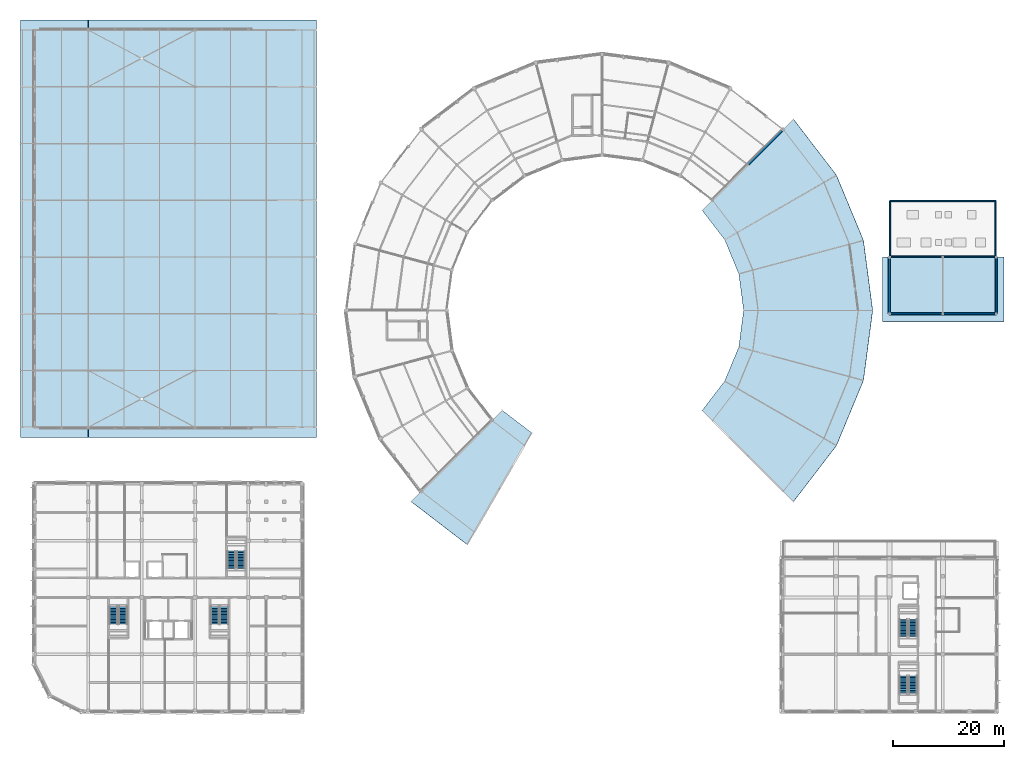
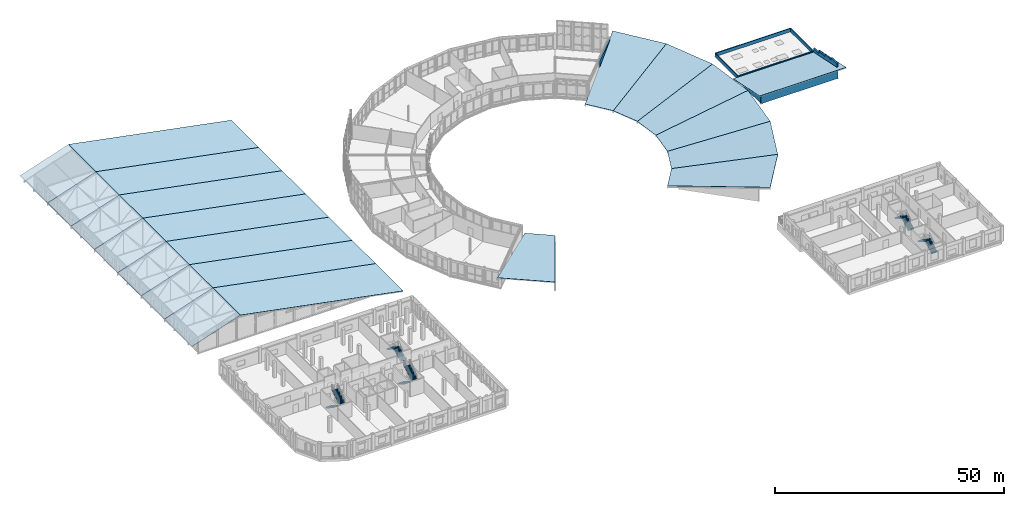
# One storey, part 187 of 200: 22 roofs, 10 stair flights, 8 walls, 5 elements without a shape of their own.
"""IFC4 building model written with IfcOpenShell, lengths in metres."""

from ifc_helpers import new_model, si_unit, direction, frame, frame_2d, origin, place, context, subcontext, project, spatial, polyline, rectangle, outline, extrude, material, layer, layer_set, type_object, element, aggregate, save


model = new_model("IFC4")

# Units and contexts
model_context = context("Model", 3, precision=1e-05, world=origin(), true_north=direction((0.0, 1.0)))
body_context = subcontext(model_context, "Body", "Model", "MODEL_VIEW")
ifc_project = project(units=[si_unit("LENGTHUNIT", "METRE"), si_unit("AREAUNIT", "SQUARE_METRE"), si_unit("VOLUMEUNIT", "CUBIC_METRE"), si_unit("PLANEANGLEUNIT", "RADIAN"), si_unit("MASSUNIT", "GRAM", prefix="KILO")], contexts=[model_context])

# Site, building, storey
site_placement = place(None, origin())
site = spatial("IfcSite", under=ifc_project, at=site_placement, CompositionType="ELEMENT")
building_placement = place(site_placement, origin())
building = spatial("IfcBuilding", under=site, at=building_placement, Name="Vondelvale Polytechnic", CompositionType="ELEMENT")
storey_placement = place(building_placement, frame((0.0, 0.0, 13.800048828125)))
storey = spatial("IfcBuildingStorey", under=building, at=storey_placement, Name="L03", CompositionType="ELEMENT", Elevation=13.800048828125)

# Walls
ifc_material_1 = material(Name="Amsterdam School iron-spot clinker clay brickwork", Category="masonry")
ifc_layer_1 = layer(ifc_material_1, 0.320068359375)
ifc_layer_set_1 = layer_set([ifc_layer_1], Name="WL-BRICK-320")
wall_type_1 = type_object("IfcWallType", Name="WL-BRICK-320", PredefinedType="SOLIDWALL", material=ifc_layer_set_1)
wall_1_placement = place(storey_placement, frame((153.60009765625, 71.39990234375, 0.0), z_axis=(0.0, 0.0, 1.0), x_axis=(1.0, 0.0, 0.0)))
element("IfcWall", 1, at=wall_1_placement, inside=storey, type_object=wall_type_1, Name="L03 Refectory wing high clerestory wall", PredefinedType="SOLIDWALL", context=body_context, shape_type="SweptSolid", body=[
    extrude(rectangle(XDim=19.199951171875, YDim=0.320068359375, at=frame_2d((9.60009765625, 0.0))), origin(), (0.0, 0.0, 1.0), 2.635986328125),
])
wall_2_placement = place(storey_placement, frame((153.60009765625, 71.39990234375, 0.0), z_axis=(0.0, 0.0, 1.0), x_axis=(0.0, 1.0, 0.0)))
element("IfcWall", 2, at=wall_2_placement, inside=storey, type_object=wall_type_1, Name="L03 Refectory wing crow-stepped brick gable W", PredefinedType="SOLIDWALL", context=body_context, shape_type="SweptSolid", body=[
    extrude(outline(polyline([(0.0, 0.0), (10.2001953125, 0.0), (10.199951171875, 0.525634765625), (0.0, 2.635986328125), (0.0, 0.0)])), frame((0.0, 0.16015625, 0.0), z_axis=(0.0, -1.0, 0.0), x_axis=(1.0, 0.0, 0.0)), (0.0, 0.0, 1.0), 0.320068359375),
])
wall_3_placement = place(storey_placement, frame((172.800048828125, 71.39990234375, 0.0), z_axis=(0.0, 0.0, 1.0), x_axis=(0.0, 1.0, 0.0)))
element("IfcWall", 3, at=wall_3_placement, inside=storey, type_object=wall_type_1, Name="L03 Refectory wing crow-stepped brick gable E", PredefinedType="SOLIDWALL", context=body_context, shape_type="SweptSolid", body=[
    extrude(outline(polyline([(0.0, 0.0), (10.2001953125, 0.0), (10.199951171875, 1.849853515625), (7.719970703125, 1.849853515625), (7.679931640625, 2.550048828125), (5.1201171875, 2.550048828125), (5.080078125, 3.25), (2.52001953125, 3.25), (2.47998046875, 3.949951171875), (0.0, 3.949951171875), (0.0, 0.0)])), frame((0.0, 0.16015625, 0.0), z_axis=(0.0, -1.0, 0.0), x_axis=(1.0, 0.0, 0.0)), (0.0, 0.0, 1.0), 0.320068359375),
])
ifc_layer_2 = layer(ifc_material_1, 0.340087890625)
ifc_layer_set_2 = layer_set([ifc_layer_2], Name="WL-BRICK-340")
wall_type_2 = type_object("IfcWallType", Name="WL-BRICK-340", PredefinedType="SOLIDWALL", material=ifc_layer_set_2)
wall_4_placement = place(storey_placement, frame((128.25341796875, 98.25341796875, 0.0), z_axis=(0.0, 0.0, 1.0), x_axis=(0.707106781187, 0.707106781187, 0.0)))
element("IfcWall", 4, at=wall_4_placement, inside=storey, type_object=wall_type_2, Name="L03 exterior masonry facade wall", PredefinedType="SOLIDWALL", context=body_context, shape_type="SweptSolid", body=[
    extrude(rectangle(XDim=8.5712890625, YDim=0.340087890625, at=frame_2d((4.28564453125, 0.0))), origin(), (0.0, 0.0, 1.0), 3.760009765625),
])
ifc_layer_3 = layer(ifc_material_1, 0.239990234375)
ifc_layer_set_3 = layer_set([ifc_layer_3], Name="WL-PARAPET-240")
wall_type_3 = type_object("IfcWallType", Name="WL-PARAPET-240", PredefinedType="SOLIDWALL", material=ifc_layer_set_3)
wall_5_placement = place(storey_placement, frame((153.719970703125, 81.719970703125, 0.179931640625), z_axis=(0.0, 0.0, 1.0), x_axis=(1.0, 0.0, 0.0)))
element("IfcWall", 5, at=wall_5_placement, inside=storey, type_object=wall_type_3, Name="L03 East pavilion stepped brick parapet", PredefinedType="SOLIDWALL", context=body_context, shape_type="SweptSolid", body=[
    extrude(rectangle(XDim=18.9599609375, YDim=0.239990234375, at=frame_2d((9.47998046875, 0.0))), origin(), (0.0, 0.0, 1.0), 0.8701171875),
])
wall_6_placement = place(storey_placement, frame((172.679931640625, 81.719970703125, 0.179931640625), z_axis=(0.0, 0.0, 1.0), x_axis=(0.0, 1.0, 0.0)))
element("IfcWall", 6, at=wall_6_placement, inside=storey, type_object=wall_type_3, Name="L03 East pavilion stepped brick parapet", PredefinedType="SOLIDWALL", context=body_context, shape_type="SweptSolid", body=[
    extrude(rectangle(XDim=9.9599609375, YDim=0.239990234375, at=frame_2d((4.97998046875, 0.0))), origin(), (0.0, 0.0, 1.0), 0.8701171875),
])
wall_7_placement = place(storey_placement, frame((172.679931640625, 91.679931640625, 0.179931640625), z_axis=(0.0, 0.0, 1.0), x_axis=(-1.0, 0.0, 0.0)))
element("IfcWall", 7, at=wall_7_placement, inside=storey, type_object=wall_type_3, Name="L03 East pavilion stepped brick parapet", PredefinedType="SOLIDWALL", context=body_context, shape_type="SweptSolid", body=[
    extrude(rectangle(XDim=18.9599609375, YDim=0.239990234375, at=frame_2d((9.47998046875, 0.0))), origin(), (0.0, 0.0, 1.0), 0.8701171875),
])
wall_8_placement = place(storey_placement, frame((153.719970703125, 91.679931640625, 0.179931640625), z_axis=(0.0, 0.0, 1.0), x_axis=(0.0, -1.0, 0.0)))
element("IfcWall", 8, at=wall_8_placement, inside=storey, type_object=wall_type_3, Name="L03 East pavilion stepped brick parapet", PredefinedType="SOLIDWALL", context=body_context, shape_type="SweptSolid", body=[
    extrude(rectangle(XDim=9.9599609375, YDim=0.239990234375, at=frame_2d((4.97998046875, 0.0))), origin(), (0.0, 0.0, 1.0), 0.8701171875),
])

# Stair, stair flights
ifc_material_2 = material(Name="Concrete N40 (f'c = 40 MPa)", Category="concrete")
stair_type = type_object("IfcStairType", Name="STR-DOG-1500", PredefinedType="HALF_TURN_STAIR", material=ifc_material_2)
stair_1_placement = place(storey_placement, origin())
stair_1 = element("IfcStair", 9, at=stair_1_placement, inside=storey, type_object=stair_type, Name="L03 ST-03", PredefinedType="HALF_TURN_STAIR")
stair_flight_type = type_object("IfcStairFlightType", Name="STF-DOG-1500", PredefinedType="STRAIGHT", material=ifc_material_2)
stair_flight_1_placement = place(storey_placement, frame((14.14990234375, 18.75, 0.0), z_axis=(0.0, 0.0, 1.0), x_axis=(0.0, -1.0, 0.0)))
stair_flight_1 = element("IfcStairFlight", 10, at=stair_flight_1_placement, type_object=stair_flight_type, Name="ST-03 flight 1", NumberOfRisers=12, NumberOfTreads=11, PredefinedType="STRAIGHT", RiserHeight=0.175, TreadLength=0.285, context=body_context, shape_type="SweptSolid", body=[
    extrude(outline(polyline([(0.0, 0.0), (0.0, 0.175048828125), (0.284912109375, 0.175048828125), (0.284912109375, 0.35009765625), (0.570068359375, 0.35009765625), (0.570068359375, 0.52490234375), (0.85498046875, 0.52490234375), (0.85498046875, 0.699951171875), (1.139892578125, 0.699951171875), (1.139892578125, 0.875), (1.425048828125, 0.875), (1.425048828125, 1.050048828125), (1.7099609375, 1.050048828125), (1.7099609375, 1.22509765625), (1.9951171875, 1.22509765625), (1.9951171875, 1.39990234375), (2.280029296875, 1.39990234375), (2.280029296875, 1.574951171875), (2.56494140625, 1.574951171875), (2.56494140625, 1.75), (2.85009765625, 1.75), (2.85009765625, 1.925048828125), (3.135009765625, 1.925048828125), (3.135009765625, 2.10009765625), (3.135009765625, 1.7373046875), (0.3056640625, 0.0), (0.0, 0.0)])), frame((0.0, 0.75, 0.0), z_axis=(0.0, -1.0, 0.0), x_axis=(1.0, 0.0, 0.0)), (0.0, 0.0, 1.0), 1.5),
])
stair_flight_2_placement = place(storey_placement, frame((15.85009765625, 15.614990234375, 2.099853515625), z_axis=(0.0, 0.0, 1.0), x_axis=(0.0, 1.0, 0.0)))
stair_flight_2 = element("IfcStairFlight", 11, at=stair_flight_2_placement, type_object=stair_flight_type, Name="ST-03 flight 2", NumberOfRisers=12, NumberOfTreads=11, PredefinedType="STRAIGHT", RiserHeight=0.175, TreadLength=0.285, context=body_context, shape_type="SweptSolid", body=[
    extrude(outline(polyline([(0.0, 0.0), (0.0, 0.175048828125), (0.284912109375, 0.175048828125), (0.284912109375, 0.35009765625), (0.570068359375, 0.35009765625), (0.570068359375, 0.52490234375), (0.85498046875, 0.52490234375), (0.85498046875, 0.699951171875), (1.139892578125, 0.699951171875), (1.139892578125, 0.875), (1.425048828125, 0.875), (1.425048828125, 1.050048828125), (1.7099609375, 1.050048828125), (1.7099609375, 1.22509765625), (1.9951171875, 1.22509765625), (1.9951171875, 1.39990234375), (2.280029296875, 1.39990234375), (2.280029296875, 1.574951171875), (2.56494140625, 1.574951171875), (2.56494140625, 1.75), (2.85009765625, 1.75), (2.85009765625, 1.925048828125), (3.135009765625, 1.925048828125), (3.135009765625, 2.10009765625), (3.135009765625, 1.7373046875), (0.3056640625, 0.0), (0.0, 0.0)])), frame((0.0, 0.75, 0.0), z_axis=(0.0, -1.0, 0.0), x_axis=(1.0, 0.0, 0.0)), (0.0, 0.0, 1.0), 1.5),
])
aggregate(stair_1, [stair_flight_1, stair_flight_2])

stair_2_placement = place(storey_placement, origin())
stair_2 = element("IfcStair", 12, at=stair_2_placement, inside=storey, type_object=stair_type, Name="L03 ST-04", PredefinedType="HALF_TURN_STAIR")
stair_flight_3_placement = place(storey_placement, frame((32.35009765625, 18.75, 0.0), z_axis=(0.0, 0.0, 1.0), x_axis=(0.0, -1.0, 0.0)))
stair_flight_3 = element("IfcStairFlight", 13, at=stair_flight_3_placement, type_object=stair_flight_type, Name="ST-04 flight 1", NumberOfRisers=12, NumberOfTreads=11, PredefinedType="STRAIGHT", RiserHeight=0.175, TreadLength=0.285, context=body_context, shape_type="SweptSolid", body=[
    extrude(outline(polyline([(0.0, 0.0), (0.0, 0.175048828125), (0.284912109375, 0.175048828125), (0.284912109375, 0.35009765625), (0.570068359375, 0.35009765625), (0.570068359375, 0.52490234375), (0.85498046875, 0.52490234375), (0.85498046875, 0.699951171875), (1.139892578125, 0.699951171875), (1.139892578125, 0.875), (1.425048828125, 0.875), (1.425048828125, 1.050048828125), (1.7099609375, 1.050048828125), (1.7099609375, 1.22509765625), (1.9951171875, 1.22509765625), (1.9951171875, 1.39990234375), (2.280029296875, 1.39990234375), (2.280029296875, 1.574951171875), (2.56494140625, 1.574951171875), (2.56494140625, 1.75), (2.85009765625, 1.75), (2.85009765625, 1.925048828125), (3.135009765625, 1.925048828125), (3.135009765625, 2.10009765625), (3.135009765625, 1.7373046875), (0.3056640625, 0.0), (0.0, 0.0)])), frame((0.0, 0.75, 0.0), z_axis=(0.0, -1.0, 0.0), x_axis=(1.0, 0.0, 0.0)), (0.0, 0.0, 1.0), 1.5),
])
stair_flight_4_placement = place(storey_placement, frame((34.050048828125, 15.614990234375, 2.099853515625), z_axis=(0.0, 0.0, 1.0), x_axis=(0.0, 1.0, 0.0)))
stair_flight_4 = element("IfcStairFlight", 14, at=stair_flight_4_placement, type_object=stair_flight_type, Name="ST-04 flight 2", NumberOfRisers=12, NumberOfTreads=11, PredefinedType="STRAIGHT", RiserHeight=0.175, TreadLength=0.285, context=body_context, shape_type="SweptSolid", body=[
    extrude(outline(polyline([(0.0, 0.0), (0.0, 0.175048828125), (0.284912109375, 0.175048828125), (0.284912109375, 0.35009765625), (0.570068359375, 0.35009765625), (0.570068359375, 0.52490234375), (0.85498046875, 0.52490234375), (0.85498046875, 0.699951171875), (1.139892578125, 0.699951171875), (1.139892578125, 0.875), (1.425048828125, 0.875), (1.425048828125, 1.050048828125), (1.7099609375, 1.050048828125), (1.7099609375, 1.22509765625), (1.9951171875, 1.22509765625), (1.9951171875, 1.39990234375), (2.280029296875, 1.39990234375), (2.280029296875, 1.574951171875), (2.56494140625, 1.574951171875), (2.56494140625, 1.75), (2.85009765625, 1.75), (2.85009765625, 1.925048828125), (3.135009765625, 1.925048828125), (3.135009765625, 2.10009765625), (3.135009765625, 1.7373046875), (0.3056640625, 0.0), (0.0, 0.0)])), frame((0.0, 0.75, 0.0), z_axis=(0.0, -1.0, 0.0), x_axis=(1.0, 0.0, 0.0)), (0.0, 0.0, 1.0), 1.5),
])
aggregate(stair_2, [stair_flight_3, stair_flight_4])

stair_3_placement = place(storey_placement, origin())
stair_3 = element("IfcStair", 15, at=stair_3_placement, inside=storey, type_object=stair_type, Name="L03 ST-05", PredefinedType="HALF_TURN_STAIR")
stair_flight_5_placement = place(storey_placement, frame((37.050048828125, 25.60009765625, 0.0), z_axis=(0.0, 0.0, 1.0), x_axis=(0.0, 1.0, 0.0)))
stair_flight_5 = element("IfcStairFlight", 16, at=stair_flight_5_placement, type_object=stair_flight_type, Name="ST-05 flight 1", NumberOfRisers=12, NumberOfTreads=11, PredefinedType="STRAIGHT", RiserHeight=0.175, TreadLength=0.285, context=body_context, shape_type="SweptSolid", body=[
    extrude(outline(polyline([(0.0, 0.0), (0.0, 0.175048828125), (0.284912109375, 0.175048828125), (0.284912109375, 0.35009765625), (0.570068359375, 0.35009765625), (0.570068359375, 0.52490234375), (0.85498046875, 0.52490234375), (0.85498046875, 0.699951171875), (1.139892578125, 0.699951171875), (1.139892578125, 0.875), (1.425048828125, 0.875), (1.425048828125, 1.050048828125), (1.7099609375, 1.050048828125), (1.7099609375, 1.22509765625), (1.9951171875, 1.22509765625), (1.9951171875, 1.39990234375), (2.280029296875, 1.39990234375), (2.280029296875, 1.574951171875), (2.56494140625, 1.574951171875), (2.56494140625, 1.75), (2.85009765625, 1.75), (2.85009765625, 1.925048828125), (3.135009765625, 1.925048828125), (3.135009765625, 2.10009765625), (3.135009765625, 1.7373046875), (0.3056640625, 0.0), (0.0, 0.0)])), frame((0.0, 0.75, 0.0), z_axis=(0.0, -1.0, 0.0), x_axis=(1.0, 0.0, 0.0)), (0.0, 0.0, 1.0), 1.5),
])
stair_flight_6_placement = place(storey_placement, frame((35.35009765625, 28.735107421875, 2.099853515625), z_axis=(0.0, 0.0, 1.0), x_axis=(0.0, -1.0, 0.0)))
stair_flight_6 = element("IfcStairFlight", 17, at=stair_flight_6_placement, type_object=stair_flight_type, Name="ST-05 flight 2", NumberOfRisers=12, NumberOfTreads=11, PredefinedType="STRAIGHT", RiserHeight=0.175, TreadLength=0.285, context=body_context, shape_type="SweptSolid", body=[
    extrude(outline(polyline([(0.0, 0.0), (0.0, 0.175048828125), (0.284912109375, 0.175048828125), (0.284912109375, 0.35009765625), (0.570068359375, 0.35009765625), (0.570068359375, 0.52490234375), (0.85498046875, 0.52490234375), (0.85498046875, 0.699951171875), (1.139892578125, 0.699951171875), (1.139892578125, 0.875), (1.425048828125, 0.875), (1.425048828125, 1.050048828125), (1.7099609375, 1.050048828125), (1.7099609375, 1.22509765625), (1.9951171875, 1.22509765625), (1.9951171875, 1.39990234375), (2.280029296875, 1.39990234375), (2.280029296875, 1.574951171875), (2.56494140625, 1.574951171875), (2.56494140625, 1.75), (2.85009765625, 1.75), (2.85009765625, 1.925048828125), (3.135009765625, 1.925048828125), (3.135009765625, 2.10009765625), (3.135009765625, 1.7373046875), (0.3056640625, 0.0), (0.0, 0.0)])), frame((0.0, 0.75, 0.0), z_axis=(0.0, -1.0, 0.0), x_axis=(1.0, 0.0, 0.0)), (0.0, 0.0, 1.0), 1.5),
])
aggregate(stair_3, [stair_flight_5, stair_flight_6])

stair_4_placement = place(storey_placement, origin())
stair_4 = element("IfcStair", 18, at=stair_4_placement, inside=storey, type_object=stair_type, Name="L03 ST-06", PredefinedType="HALF_TURN_STAIR")
stair_flight_7_placement = place(storey_placement, frame((157.85009765625, 3.14990234375, 0.0), z_axis=(0.0, 0.0, 1.0), x_axis=(0.0, 1.0, 0.0)))
stair_flight_7 = element("IfcStairFlight", 19, at=stair_flight_7_placement, type_object=stair_flight_type, Name="ST-06 flight 1", NumberOfRisers=12, NumberOfTreads=11, PredefinedType="STRAIGHT", RiserHeight=0.175, TreadLength=0.285, context=body_context, shape_type="SweptSolid", body=[
    extrude(outline(polyline([(0.0, 0.0), (0.0, 0.175048828125), (0.284912109375, 0.175048828125), (0.284912109375, 0.35009765625), (0.570068359375, 0.35009765625), (0.570068359375, 0.52490234375), (0.85498046875, 0.52490234375), (0.85498046875, 0.699951171875), (1.139892578125, 0.699951171875), (1.139892578125, 0.875), (1.425048828125, 0.875), (1.425048828125, 1.050048828125), (1.7099609375, 1.050048828125), (1.7099609375, 1.22509765625), (1.9951171875, 1.22509765625), (1.9951171875, 1.39990234375), (2.280029296875, 1.39990234375), (2.280029296875, 1.574951171875), (2.56494140625, 1.574951171875), (2.56494140625, 1.75), (2.85009765625, 1.75), (2.85009765625, 1.925048828125), (3.135009765625, 1.925048828125), (3.135009765625, 2.10009765625), (3.135009765625, 1.7373046875), (0.3056640625, 0.0), (0.0, 0.0)])), frame((0.0, 0.75, 0.0), z_axis=(0.0, -1.0, 0.0), x_axis=(1.0, 0.0, 0.0)), (0.0, 0.0, 1.0), 1.5),
])
stair_flight_8_placement = place(storey_placement, frame((156.14990234375, 6.284912109375, 2.099853515625), z_axis=(0.0, 0.0, 1.0), x_axis=(0.0, -1.0, 0.0)))
stair_flight_8 = element("IfcStairFlight", 20, at=stair_flight_8_placement, type_object=stair_flight_type, Name="ST-06 flight 2", NumberOfRisers=12, NumberOfTreads=11, PredefinedType="STRAIGHT", RiserHeight=0.175, TreadLength=0.285, context=body_context, shape_type="SweptSolid", body=[
    extrude(outline(polyline([(0.0, 0.0), (0.0, 0.175048828125), (0.284912109375, 0.175048828125), (0.284912109375, 0.35009765625), (0.570068359375, 0.35009765625), (0.570068359375, 0.52490234375), (0.85498046875, 0.52490234375), (0.85498046875, 0.699951171875), (1.139892578125, 0.699951171875), (1.139892578125, 0.875), (1.425048828125, 0.875), (1.425048828125, 1.050048828125), (1.7099609375, 1.050048828125), (1.7099609375, 1.22509765625), (1.9951171875, 1.22509765625), (1.9951171875, 1.39990234375), (2.280029296875, 1.39990234375), (2.280029296875, 1.574951171875), (2.56494140625, 1.574951171875), (2.56494140625, 1.75), (2.85009765625, 1.75), (2.85009765625, 1.925048828125), (3.135009765625, 1.925048828125), (3.135009765625, 2.10009765625), (3.135009765625, 1.7373046875), (0.3056640625, 0.0), (0.0, 0.0)])), frame((0.0, 0.75, 0.0), z_axis=(0.0, -1.0, 0.0), x_axis=(1.0, 0.0, 0.0)), (0.0, 0.0, 1.0), 1.5),
])
aggregate(stair_4, [stair_flight_7, stair_flight_8])

stair_5_placement = place(storey_placement, origin())
stair_5 = element("IfcStair", 21, at=stair_5_placement, inside=storey, type_object=stair_type, Name="L03 ST-07", PredefinedType="HALF_TURN_STAIR")
stair_flight_9_placement = place(storey_placement, frame((157.85009765625, 13.35009765625, 0.0), z_axis=(0.0, 0.0, 1.0), x_axis=(0.0, 1.0, 0.0)))
stair_flight_9 = element("IfcStairFlight", 22, at=stair_flight_9_placement, type_object=stair_flight_type, Name="ST-07 flight 1", NumberOfRisers=12, NumberOfTreads=11, PredefinedType="STRAIGHT", RiserHeight=0.175, TreadLength=0.285, context=body_context, shape_type="SweptSolid", body=[
    extrude(outline(polyline([(0.0, 0.0), (0.0, 0.175048828125), (0.284912109375, 0.175048828125), (0.284912109375, 0.35009765625), (0.570068359375, 0.35009765625), (0.570068359375, 0.52490234375), (0.85498046875, 0.52490234375), (0.85498046875, 0.699951171875), (1.139892578125, 0.699951171875), (1.139892578125, 0.875), (1.425048828125, 0.875), (1.425048828125, 1.050048828125), (1.7099609375, 1.050048828125), (1.7099609375, 1.22509765625), (1.9951171875, 1.22509765625), (1.9951171875, 1.39990234375), (2.280029296875, 1.39990234375), (2.280029296875, 1.574951171875), (2.56494140625, 1.574951171875), (2.56494140625, 1.75), (2.85009765625, 1.75), (2.85009765625, 1.925048828125), (3.135009765625, 1.925048828125), (3.135009765625, 2.10009765625), (3.135009765625, 1.7373046875), (0.3056640625, 0.0), (0.0, 0.0)])), frame((0.0, 0.75, 0.0), z_axis=(0.0, -1.0, 0.0), x_axis=(1.0, 0.0, 0.0)), (0.0, 0.0, 1.0), 1.5),
])
stair_flight_10_placement = place(storey_placement, frame((156.14990234375, 16.485107421875, 2.099853515625), z_axis=(0.0, 0.0, 1.0), x_axis=(0.0, -1.0, 0.0)))
stair_flight_10 = element("IfcStairFlight", 23, at=stair_flight_10_placement, type_object=stair_flight_type, Name="ST-07 flight 2", NumberOfRisers=12, NumberOfTreads=11, PredefinedType="STRAIGHT", RiserHeight=0.175, TreadLength=0.285, context=body_context, shape_type="SweptSolid", body=[
    extrude(outline(polyline([(0.0, 0.0), (0.0, 0.175048828125), (0.284912109375, 0.175048828125), (0.284912109375, 0.35009765625), (0.570068359375, 0.35009765625), (0.570068359375, 0.52490234375), (0.85498046875, 0.52490234375), (0.85498046875, 0.699951171875), (1.139892578125, 0.699951171875), (1.139892578125, 0.875), (1.425048828125, 0.875), (1.425048828125, 1.050048828125), (1.7099609375, 1.050048828125), (1.7099609375, 1.22509765625), (1.9951171875, 1.22509765625), (1.9951171875, 1.39990234375), (2.280029296875, 1.39990234375), (2.280029296875, 1.574951171875), (2.56494140625, 1.574951171875), (2.56494140625, 1.75), (2.85009765625, 1.75), (2.85009765625, 1.925048828125), (3.135009765625, 1.925048828125), (3.135009765625, 2.10009765625), (3.135009765625, 1.7373046875), (0.3056640625, 0.0), (0.0, 0.0)])), frame((0.0, 0.75, 0.0), z_axis=(0.0, -1.0, 0.0), x_axis=(1.0, 0.0, 0.0)), (0.0, 0.0, 1.0), 1.5),
])
aggregate(stair_5, [stair_flight_9, stair_flight_10])

# Roofs
ifc_material_3 = material(Name="Dark zinc-bronze standing-seam insulated roof system")
ifc_layer_4 = layer(ifc_material_3, 0.06005859375)
ifc_layer_set_4 = layer_set([ifc_layer_4], Name="RF-ZINC-RING")
roof_type_1 = type_object("IfcRoofType", Name="RF-ZINC-RING", PredefinedType="SHED_ROOF", material=ifc_layer_set_4)
roof_1_placement = place(storey_placement, frame((127.39990234375, 72.0, 0.329833984375), z_axis=(-0.161603329064, -0.021275467916, 0.986626433104), x_axis=(0.986849804964, -1.6e-10, 0.161639915995)))
element("IfcRoof", 24, at=roof_1_placement, inside=storey, type_object=roof_type_1, Name="Circular cloister dark zinc roof sector 00", PredefinedType="SHED_ROOF", context=body_context, shape_type="SweptSolid", body=[
    extrude(outline(polyline([(0.0, 0.0), (23.50934779261818, 0.0), (21.875118731265488, 12.58146107813212), (-0.8540973053951506, 6.575462950898008), (0.0, 0.0)])), origin(), (0.0, 0.0, -1.0), 0.06005859375),
])
roof_2_placement = place(storey_placement, frame((126.534423828125, 78.573974609375, 0.329833984375), z_axis=(-0.150590999507, -0.062376311028, 0.986626346035), x_axis=(0.95322377248, 0.255414942232, 0.161640486462)))
element("IfcRoof", 25, at=roof_2_placement, inside=storey, type_object=roof_type_1, Name="Circular cloister dark zinc roof sector 01", PredefinedType="SHED_ROOF", context=body_context, shape_type="SweptSolid", body=[
    extrude(outline(polyline([(0.0, 0.0), (23.509344421853964, 0.0), (21.87505868655071, 12.581508948541707), (-0.853999740453026, 6.575441897749939), (0.0, 0.0)])), origin(), (0.0, 0.0, -1.0), 0.06005859375),
])
roof_3_placement = place(storey_placement, frame((123.9970703125, 84.699951171875, 0.329833984375), z_axis=(-0.129315091006, -0.09922705884, 0.986626372054), x_axis=(0.854635215769, 0.493427854302, 0.161640343248)))
element("IfcRoof", 26, at=roof_3_placement, inside=storey, type_object=roof_type_1, Name="Circular cloister dark zinc roof sector 02", PredefinedType="SHED_ROOF", context=body_context, shape_type="SweptSolid", body=[
    extrude(outline(polyline([(0.0, 0.0), (23.50920965061948, -2.2898349882893854e-15), (21.87509307989471, 12.58146535201625), (-0.8541622756052316, 6.575527078680868), (0.0, 0.0)])), origin(), (0.0, 0.0, -1.0), 0.06005859375),
])
for number, where, z_axis, x_axis, name in (
    (27, (84.03955078125, 54.03955078125, 0.329833984375), (0.09922705884, 0.129315091006, 0.986626372054), (-0.697808153562, -0.697808137853, 0.161640290672), "Circular cloister dark zinc roof sector 15"),
    (28, (119.96044921875, 54.03955078125, 0.329833984375), (-0.129315091006, 0.09922705884, 0.986626372054), (0.697808137853, -0.697808153562, 0.161640290672), "Circular cloister dark zinc roof sector 21"),
):
    element("IfcRoof", number, at=place(storey_placement, frame(where, z_axis=z_axis, x_axis=x_axis)), inside=storey, type_object=roof_type_1, Name=name, PredefinedType="SHED_ROOF", context=body_context, shape_type="SweptSolid", body=[
        extrude(outline(polyline([(0.0, 0.0), (23.50936714500494, -1.124100812432971e-15), (21.875071706991683, 12.581442118930237), (-0.8540313802620734, 6.575544080687173), (0.0, 0.0)])), origin(), (0.0, 0.0, -1.0), 0.06005859375),
    ])
roof_4_placement = place(storey_placement, frame((123.9970703125, 59.300048828125, 0.329833984375), z_axis=(-0.150590999507, 0.062376311028, 0.986626346035), x_axis=(0.854635232916, -0.493427837562, 0.161640303693)))
element("IfcRoof", 29, at=roof_4_placement, inside=storey, type_object=roof_type_1, Name="Circular cloister dark zinc roof sector 22", PredefinedType="SHED_ROOF", context=body_context, shape_type="SweptSolid", body=[
    extrude(outline(polyline([(0.0, 0.0), (23.50920965061897, 1.4988010832439613e-15), (21.874973070490455, 12.58151533349702), (-0.854215655375723, 6.575413851727523), (0.0, 0.0)])), origin(), (0.0, 0.0, -1.0), 0.06005859375),
])
roof_5_placement = place(storey_placement, frame((126.534423828125, 65.426025390625, 0.329833984375), z_axis=(-0.161603329064, 0.021275467916, 0.986626433104), x_axis=(0.953223858358, -0.255414977461, 0.161639924354)))
element("IfcRoof", 30, at=roof_5_placement, inside=storey, type_object=roof_type_1, Name="Circular cloister dark zinc roof sector 23", PredefinedType="SHED_ROOF", context=body_context, shape_type="SweptSolid", body=[
    extrude(outline(polyline([(0.0, 0.0), (23.50934442185768, 1.0408340855860843e-15), (21.875122488874485, 12.581462004047061), (-0.8540968066921539, 6.575463015675313), (0.0, 0.0)])), origin(), (0.0, 0.0, -1.0), 0.06005859375),
])
ifc_layer_5 = layer(ifc_material_3, 0.06005859375)
ifc_layer_set_5 = layer_set([ifc_layer_5], Name="RF-ZINC-WING")
roof_type_2 = type_object("IfcRoofType", Name="RF-ZINC-WING", PredefinedType="SHED_ROOF", material=ifc_layer_set_5)
roof_6_placement = place(storey_placement, frame((152.39990234375, 70.0, 3.2099609375), z_axis=(0.0, 0.202596062806, 0.979262393506), x_axis=(1.0, 0.0, 0.0)))
element("IfcRoof", 31, at=roof_6_placement, inside=storey, type_object=roof_type_2, Name="Refectory wing standing-seam zinc roof", PredefinedType="SHED_ROOF", context=body_context, shape_type="SweptSolid", body=[
    extrude(outline(polyline([(0.0, 0.0), (21.800048828125, 0.0), (21.800048828125, 11.845750161727768), (0.0, 11.845750161727768), (0.0, 0.0)])), origin(), (0.0, 0.0, -1.0), 0.06005859375),
])
ifc_layer_6 = layer(ifc_material_3, 0.06005859375)
ifc_layer_set_6 = layer_set([ifc_layer_6], Name="RF-ZINC-WORK")
roof_type_3 = type_object("IfcRoofType", Name="RF-ZINC-WORK", PredefinedType="GABLE_ROOF", material=ifc_layer_set_6)
roof_7_placement = place(storey_placement, frame((-2.60009765625, 49.199951171875, 3.413330078125), z_axis=(-0.316222070711, 0.0, 0.948685196467), x_axis=(0.948685196467, 0.0, 0.316222070711)))
element("IfcRoof", 32, at=roof_7_placement, inside=storey, type_object=roof_type_3, Name="Workshop West standing-seam zinc roof bay 1", PredefinedType="GABLE_ROOF", context=body_context, shape_type="SweptSolid", body=[
    extrude(outline(polyline([(0.0, 0.0), (12.860109294353505, 0.0), (12.860109294353505, 12.0), (0.0, 12.0), (0.0, 0.0)])), origin(), (0.0, 0.0, -1.0), 0.06005859375),
])
roof_8_placement = place(storey_placement, frame((9.60009765625, 49.199951171875, 7.47998046875), z_axis=(0.189228631546, 0.0, 0.981933055255), x_axis=(0.981933055255, 0.0, -0.189228631546)))
element("IfcRoof", 33, at=roof_8_placement, inside=storey, type_object=roof_type_3, Name="Workshop East standing-seam zinc roof bay 1", PredefinedType="GABLE_ROOF", context=body_context, shape_type="SweptSolid", body=[
    extrude(outline(polyline([(0.0, 0.0), (41.75437396730861, 0.0), (41.75437396730861, 12.0), (0.0, 12.0), (0.0, 0.0)])), origin(), (0.0, 0.0, -1.0), 0.06005859375),
])
roof_9_placement = place(storey_placement, frame((-2.60009765625, 61.199951171875, 3.413330078125), z_axis=(-0.316222070711, 0.0, 0.948685196467), x_axis=(0.948685196467, 0.0, 0.316222070711)))
element("IfcRoof", 34, at=roof_9_placement, inside=storey, type_object=roof_type_3, Name="Workshop West standing-seam zinc roof bay 2", PredefinedType="GABLE_ROOF", context=body_context, shape_type="SweptSolid", body=[
    extrude(outline(polyline([(0.0, 0.0), (12.860109294353506, 0.0), (12.860109294353506, 10.199951171875), (0.0, 10.199951171875), (0.0, 0.0)])), origin(), (0.0, 0.0, -1.0), 0.06005859375),
])
roof_10_placement = place(storey_placement, frame((9.60009765625, 61.199951171875, 7.47998046875), z_axis=(0.189228631546, 0.0, 0.981933055255), x_axis=(0.981933055255, 0.0, -0.189228631546)))
element("IfcRoof", 35, at=roof_10_placement, inside=storey, type_object=roof_type_3, Name="Workshop East standing-seam zinc roof bay 2", PredefinedType="GABLE_ROOF", context=body_context, shape_type="SweptSolid", body=[
    extrude(outline(polyline([(0.0, 0.0), (41.75437396730861, 0.0), (41.75437396730861, 10.199951171875), (0.0, 10.199951171875), (0.0, 0.0)])), origin(), (0.0, 0.0, -1.0), 0.06005859375),
])
roof_11_placement = place(storey_placement, frame((-2.60009765625, 71.39990234375, 3.413330078125), z_axis=(-0.316222070711, 0.0, 0.948685196467), x_axis=(0.948685196467, 0.0, 0.316222070711)))
element("IfcRoof", 36, at=roof_11_placement, inside=storey, type_object=roof_type_3, Name="Workshop West standing-seam zinc roof bay 3", PredefinedType="GABLE_ROOF", context=body_context, shape_type="SweptSolid", body=[
    extrude(outline(polyline([(0.0, 0.0), (12.860109294353506, 0.0), (12.860109294353506, 10.200195312500002), (0.0, 10.200195312500002), (0.0, 0.0)])), origin(), (0.0, 0.0, -1.0), 0.06005859375),
])
roof_12_placement = place(storey_placement, frame((9.60009765625, 71.39990234375, 7.47998046875), z_axis=(0.189228631546, 0.0, 0.981933055255), x_axis=(0.981933055255, 0.0, -0.189228631546)))
element("IfcRoof", 37, at=roof_12_placement, inside=storey, type_object=roof_type_3, Name="Workshop East standing-seam zinc roof bay 3", PredefinedType="GABLE_ROOF", context=body_context, shape_type="SweptSolid", body=[
    extrude(outline(polyline([(0.0, 0.0), (41.75437396730861, 0.0), (41.75437396730861, 10.2001953125), (0.0, 10.2001953125), (0.0, 0.0)])), origin(), (0.0, 0.0, -1.0), 0.06005859375),
])
roof_13_placement = place(storey_placement, frame((-2.60009765625, 81.60009765625, 3.413330078125), z_axis=(-0.316222070711, 0.0, 0.948685196467), x_axis=(0.948685196467, 0.0, 0.316222070711)))
element("IfcRoof", 38, at=roof_13_placement, inside=storey, type_object=roof_type_3, Name="Workshop West standing-seam zinc roof bay 4", PredefinedType="GABLE_ROOF", context=body_context, shape_type="SweptSolid", body=[
    extrude(outline(polyline([(0.0, 0.0), (12.860109294353506, 0.0), (12.860109294353506, 10.199951171875), (0.0, 10.199951171875), (0.0, 0.0)])), origin(), (0.0, 0.0, -1.0), 0.06005859375),
])
roof_14_placement = place(storey_placement, frame((9.60009765625, 81.60009765625, 7.47998046875), z_axis=(0.189228631546, 0.0, 0.981933055255), x_axis=(0.981933055255, 0.0, -0.189228631546)))
element("IfcRoof", 39, at=roof_14_placement, inside=storey, type_object=roof_type_3, Name="Workshop East standing-seam zinc roof bay 4", PredefinedType="GABLE_ROOF", context=body_context, shape_type="SweptSolid", body=[
    extrude(outline(polyline([(0.0, 0.0), (41.75437396730861, 0.0), (41.75437396730861, 10.199951171875), (0.0, 10.199951171875), (0.0, 0.0)])), origin(), (0.0, 0.0, -1.0), 0.06005859375),
])
roof_15_placement = place(storey_placement, frame((-2.60009765625, 91.800048828125, 3.413330078125), z_axis=(-0.316222070711, 0.0, 0.948685196467), x_axis=(0.948685196467, 0.0, 0.316222070711)))
element("IfcRoof", 40, at=roof_15_placement, inside=storey, type_object=roof_type_3, Name="Workshop West standing-seam zinc roof bay 5", PredefinedType="GABLE_ROOF", context=body_context, shape_type="SweptSolid", body=[
    extrude(outline(polyline([(0.0, 0.0), (12.860109294353506, 0.0), (12.860109294353506, 10.199951171875), (0.0, 10.199951171875), (0.0, 0.0)])), origin(), (0.0, 0.0, -1.0), 0.06005859375),
])
roof_16_placement = place(storey_placement, frame((9.60009765625, 91.800048828125, 7.47998046875), z_axis=(0.189228631546, 0.0, 0.981933055255), x_axis=(0.981933055255, 0.0, -0.189228631546)))
element("IfcRoof", 41, at=roof_16_placement, inside=storey, type_object=roof_type_3, Name="Workshop East standing-seam zinc roof bay 5", PredefinedType="GABLE_ROOF", context=body_context, shape_type="SweptSolid", body=[
    extrude(outline(polyline([(0.0, 0.0), (41.75437396730861, 0.0), (41.75437396730861, 10.199951171875), (0.0, 10.199951171875), (0.0, 0.0)])), origin(), (0.0, 0.0, -1.0), 0.06005859375),
])
roof_17_placement = place(storey_placement, frame((-2.60009765625, 102.0, 3.413330078125), z_axis=(-0.316222070711, 0.0, 0.948685196467), x_axis=(0.948685196467, 0.0, 0.316222070711)))
element("IfcRoof", 42, at=roof_17_placement, inside=storey, type_object=roof_type_3, Name="Workshop West standing-seam zinc roof bay 6", PredefinedType="GABLE_ROOF", context=body_context, shape_type="SweptSolid", body=[
    extrude(outline(polyline([(0.0, 0.0), (12.860109294353506, 0.0), (12.860109294353506, 10.199951171875), (0.0, 10.199951171875), (0.0, 0.0)])), origin(), (0.0, 0.0, -1.0), 0.06005859375),
])
roof_18_placement = place(storey_placement, frame((9.60009765625, 102.0, 7.47998046875), z_axis=(0.189228631546, 0.0, 0.981933055255), x_axis=(0.981933055255, 0.0, -0.189228631546)))
element("IfcRoof", 43, at=roof_18_placement, inside=storey, type_object=roof_type_3, Name="Workshop East standing-seam zinc roof bay 6", PredefinedType="GABLE_ROOF", context=body_context, shape_type="SweptSolid", body=[
    extrude(outline(polyline([(0.0, 0.0), (41.75437396730861, 0.0), (41.75437396730861, 10.199951171875), (0.0, 10.199951171875), (0.0, 0.0)])), origin(), (0.0, 0.0, -1.0), 0.06005859375),
])
roof_19_placement = place(storey_placement, frame((-2.60009765625, 112.199951171875, 3.413330078125), z_axis=(-0.316222070711, 0.0, 0.948685196467), x_axis=(0.948685196467, 0.0, 0.316222070711)))
element("IfcRoof", 44, at=roof_19_placement, inside=storey, type_object=roof_type_3, Name="Workshop West standing-seam zinc roof bay 7", PredefinedType="GABLE_ROOF", context=body_context, shape_type="SweptSolid", body=[
    extrude(outline(polyline([(0.0, 0.0), (12.860109294353505, 0.0), (12.860109294353505, 12.0), (0.0, 12.0), (0.0, 0.0)])), origin(), (0.0, 0.0, -1.0), 0.06005859375),
])
roof_20_placement = place(storey_placement, frame((9.60009765625, 112.199951171875, 7.47998046875), z_axis=(0.189228631546, 0.0, 0.981933055255), x_axis=(0.981933055255, 0.0, -0.189228631546)))
element("IfcRoof", 45, at=roof_20_placement, inside=storey, type_object=roof_type_3, Name="Workshop East standing-seam zinc roof bay 7", PredefinedType="GABLE_ROOF", context=body_context, shape_type="SweptSolid", body=[
    extrude(outline(polyline([(0.0, 0.0), (41.75437396730861, 0.0), (41.75437396730861, 12.0), (0.0, 12.0), (0.0, 0.0)])), origin(), (0.0, 0.0, -1.0), 0.06005859375),
])

save(model, "model.ifc")
